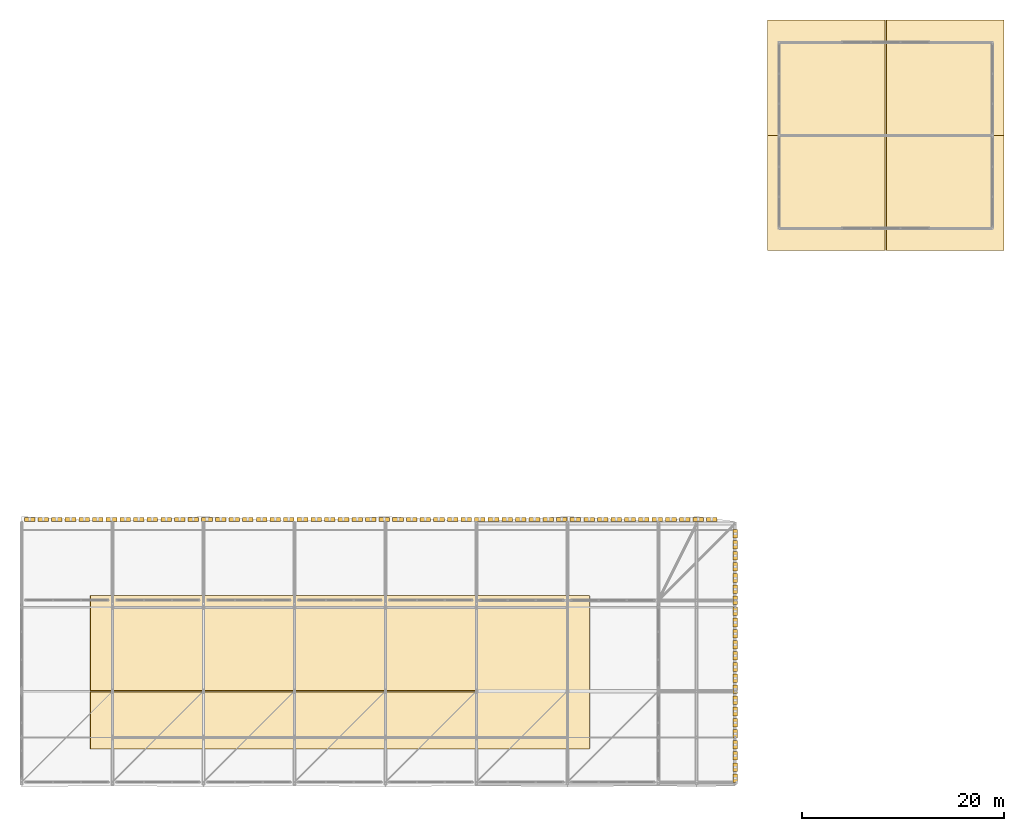
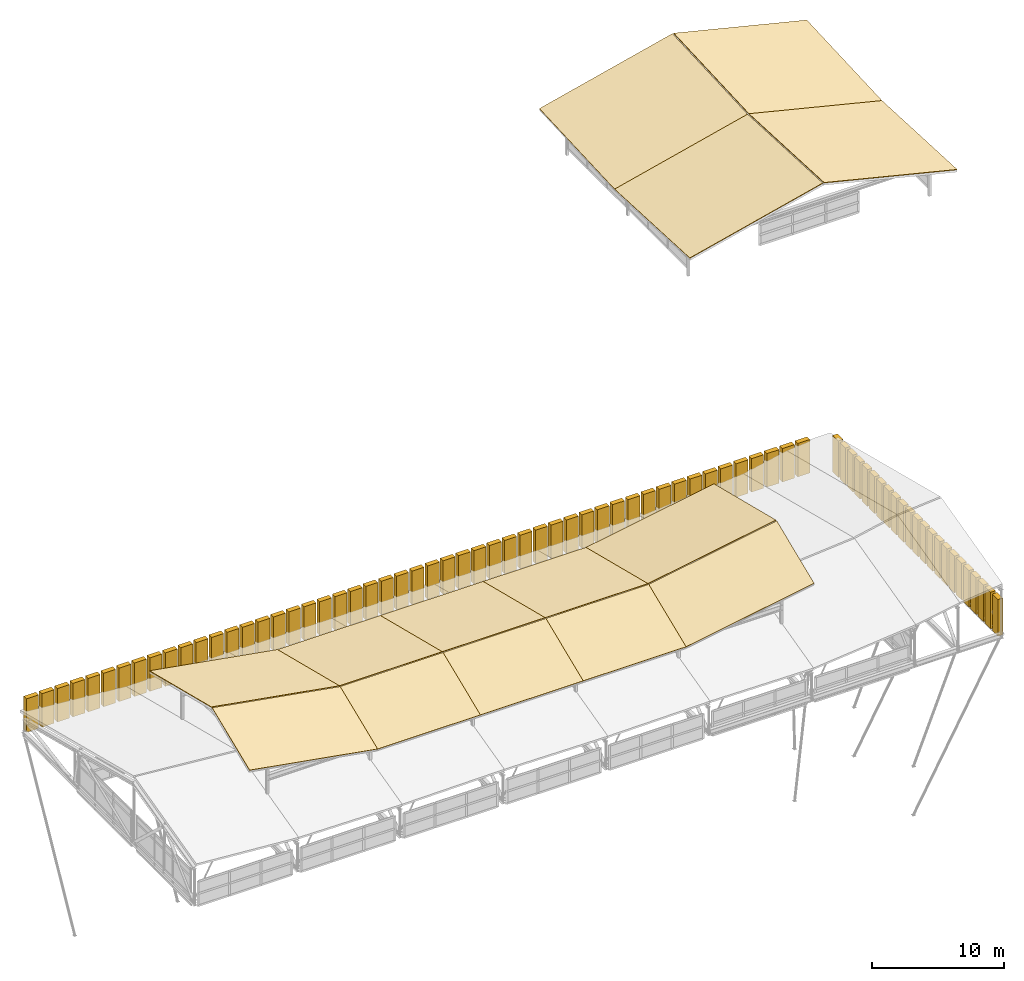
# One storey, part 42 of 42: 74 shading devices, 14 coverings.
"""IFC4 building model written with IfcOpenShell, lengths in metres."""

import ifcopenshell
import ifcopenshell.guid

model = None  # the IFC model being written
_history = None  # IfcOwnerHistory: only IFC2X3 demands one
_inside = {}  # id of a spatial element -> (the spatial element, [elements in it])
_under = {}  # id of a project, library or spatial element -> (it, [spatial elements below it])
_declared = {}  # id of a project -> (the project, [libraries it declares])
_typed = {}  # id of a type object -> (the type object, [elements of that type])
_made_of = {}  # id of a material, layer set ... -> (it, [elements and type objects made of it])


def new_model(schema):
    """Start an empty IFC model of exactly this schema.

    Asked for "IFC4X3", IfcOpenShell would pick the latest addendum, in which some entities
    have other attributes; the version numbers below select the first issue.
    IFC2X3 requires an IfcOwnerHistory on every rooted entity: one is made here for all.
    """
    global model, _history
    if schema == "IFC4X3":
        model = ifcopenshell.file(schema_version=(4, 3, 0, 0))
    else:
        model = ifcopenshell.file(schema=schema)
    _inside.clear()
    _under.clear()
    _declared.clear()
    _typed.clear()
    _made_of.clear()
    _history = None
    if model.schema == "IFC2X3":
        org = make("IfcOrganization", Name="unknown")
        user = make(
            "IfcPersonAndOrganization",
            ThePerson=make("IfcPerson", FamilyName="unknown"),
            TheOrganization=org,
        )
        app = make(
            "IfcApplication",
            ApplicationDeveloper=org,
            Version="unknown",
            ApplicationFullName="unknown",
            ApplicationIdentifier="unknown",
        )
        _history = make(
            "IfcOwnerHistory",
            OwningUser=user,
            OwningApplication=app,
            ChangeAction="ADDED",
            CreationDate=0,
        )
    return model


def make(cls, **values):
    """One entity of the class cls with the attributes given. An attribute that is None is left unset."""
    return model.create_entity(
        cls, **{name: value for name, value in values.items() if value is not None}
    )


def rooted(cls, **values):
    """An entity with a GlobalId (a new one), such as an element, a storey or a relation."""
    return make(cls, GlobalId=ifcopenshell.guid.new(), OwnerHistory=_history, **values)


def si_unit(unit_type, name, prefix=None):
    """IfcSIUnit, for example si_unit("LENGTHUNIT", "METRE", prefix="MILLI")."""
    return make("IfcSIUnit", UnitType=unit_type, Prefix=prefix, Name=name)


def assignment(units):
    """IfcUnitAssignment: the units of a project."""
    return None if units is None else make("IfcUnitAssignment", Units=units)


def point(xyz):
    """IfcCartesianPoint."""
    return None if xyz is None else make("IfcCartesianPoint", Coordinates=xyz)


def direction(xyz):
    """IfcDirection."""
    return None if xyz is None else make("IfcDirection", DirectionRatios=xyz)


def frame(location, z_axis=None, x_axis=None):
    """IfcAxis2Placement3D, a coordinate frame: its origin and axes. An axis left out is left unset."""
    return make(
        "IfcAxis2Placement3D",
        Location=point(location),
        Axis=direction(z_axis),
        RefDirection=direction(x_axis),
    )


def frame_2d(location, x_axis=None):
    """IfcAxis2Placement2D, a coordinate frame in the plane: its origin and x axis."""
    return make(
        "IfcAxis2Placement2D", Location=point(location), RefDirection=direction(x_axis)
    )


def origin():
    """The frame at (0, 0, 0) with its axes left unset."""
    return frame((0.0, 0.0, 0.0))


def origin_2d():
    """The frame at (0, 0) in the plane with its x axis left unset."""
    return frame_2d((0.0, 0.0))


def place(relative_to, where):
    """IfcLocalPlacement: puts the frame where relative to a parent placement (None: the world)."""
    return make(
        "IfcLocalPlacement", PlacementRelTo=relative_to, RelativePlacement=where
    )


def context(
    kind, dimensions, precision=None, world=None, true_north=None, identifier=None
):
    """IfcGeometricRepresentationContext, for example the 3D "Model" context."""
    return make(
        "IfcGeometricRepresentationContext",
        ContextIdentifier=identifier,
        ContextType=kind,
        CoordinateSpaceDimension=dimensions,
        Precision=precision,
        WorldCoordinateSystem=world,
        TrueNorth=true_north,
    )


def subcontext(parent, identifier, kind, view, scale=None):
    """IfcGeometricRepresentationSubContext, for example "Body" below "Model"."""
    return make(
        "IfcGeometricRepresentationSubContext",
        ContextIdentifier=identifier,
        ContextType=kind,
        ParentContext=parent,
        TargetScale=scale,
        TargetView=view,
    )


def project(units=None, contexts=None):
    """IfcProject with its units and contexts."""
    return rooted(
        "IfcProject",
        Name="project",
        RepresentationContexts=contexts,
        UnitsInContext=assignment(units),
    )


def spatial(cls, under=None, at=None, **own):
    """A site, building, storey or space (cls), placed at a placement, below another one or the project."""
    s = rooted(cls, ObjectPlacement=at, **own)
    if under is not None:
        _under.setdefault(under.id(), (under, []))[1].append(s)
    return s


def polyline(points):
    """IfcPolyline through the points."""
    return make("IfcPolyline", Points=[point(p) for p in points])


def profile(cls, at=None, kind="AREA", **sizes):
    """A parametric profile (cls). Its sizes go by their IFC names, for example OverallWidth=200.0."""
    return make(cls, ProfileType=kind, Position=at, **sizes)


def rectangle(**sizes):
    """IfcRectangleProfileDef."""
    return profile("IfcRectangleProfileDef", **sizes)


def outline(outer, holes=None, kind="AREA"):
    """IfcArbitraryClosedProfileDef: a profile drawn as a closed curve; with holes, ...WithVoids."""
    if holes is None:
        return make("IfcArbitraryClosedProfileDef", ProfileType=kind, OuterCurve=outer)
    return make(
        "IfcArbitraryProfileDefWithVoids",
        ProfileType=kind,
        OuterCurve=outer,
        InnerCurves=holes,
    )


def extrude(swept, where, along, depth):
    """IfcExtrudedAreaSolid: the profile swept, set in the frame where, extruded along a direction by depth."""
    return make(
        "IfcExtrudedAreaSolid",
        SweptArea=swept,
        Position=where,
        ExtrudedDirection=direction(along),
        Depth=depth,
    )


def shape(context_of_items, identifier, shape_type, items):
    """IfcShapeRepresentation: the items that make up one representation, for example the "Body"."""
    return make(
        "IfcShapeRepresentation",
        ContextOfItems=context_of_items,
        RepresentationIdentifier=identifier,
        RepresentationType=shape_type,
        Items=items,
    )


def material(Name=None, Category=None):
    """IfcMaterial."""
    return make("IfcMaterial", Name=Name, Category=Category)


def layer(
    of_material, thickness, ventilated=None, Name=None, Category=None, Priority=None
):
    """IfcMaterialLayer: one layer of a wall or slab, of a material (None: an air gap)."""
    return make(
        "IfcMaterialLayer",
        Material=of_material,
        LayerThickness=thickness,
        IsVentilated=ventilated,
        Name=Name,
        Category=Category,
        Priority=Priority,
    )


def layer_set(layers, Name=None):
    """IfcMaterialLayerSet."""
    return make("IfcMaterialLayerSet", MaterialLayers=layers, LayerSetName=Name)


def made_of(thing, what):
    """Note that an element or type object is made of a material, layer set ...; save() writes the relation."""
    if what is not None:
        _made_of.setdefault(what.id(), (what, []))[1].append(thing)
    return thing


def type_object(cls, material=None, **own):
    """A type object (cls), such as IfcWallType, which elements share."""
    return made_of(rooted(cls, **own), material)


def element(
    cls,
    number,
    at=None,
    inside=None,
    cuts=None,
    type_object=None,
    material=None,
    context=None,
    identifier="Body",
    shape_type=None,
    held_by="IfcProductDefinitionShape",
    body=None,
    shapes=None,
    **own,
):
    """One element of the class cls, such as IfcWall. Its Tag is "e" and its number.

    at: its placement. inside: the storey or other place that contains it. cuts: it is an
    opening in that element (IfcRelVoidsElement). A single representation is given by context,
    identifier, shape_type and body (its items); several are given by shapes. held_by: the class
    of the entity that holds the representations. save() writes the other relations.
    """
    e = rooted(cls, Tag="e%d" % number, ObjectPlacement=at, **own)
    if body is not None:
        shapes = [shape(context, identifier, shape_type, body)]
    if shapes is not None:
        e.Representation = make(held_by, Representations=shapes)
    if inside is not None:
        _inside.setdefault(inside.id(), (inside, []))[1].append(e)
    if cuts is not None:
        rooted(
            "IfcRelVoidsElement", RelatingBuildingElement=cuts, RelatedOpeningElement=e
        )
    if type_object is not None:
        _typed.setdefault(type_object.id(), (type_object, []))[1].append(e)
    return made_of(e, material)


def aggregate(whole, parts):
    """IfcRelAggregates: a whole, such as a stair, and the parts it consists of."""
    return rooted("IfcRelAggregates", RelatingObject=whole, RelatedObjects=parts)


def save(model, path):
    """Write the relations noted so far, then the file.

    IfcRelAggregates (storeys below a building ...), IfcRelContainedInSpatialStructure (elements
    in a storey), IfcRelDefinesByType, IfcRelAssociatesMaterial and IfcRelDeclares: one each for
    every whole, place, type object, material and project.
    """
    for whole, parts in _under.values():
        aggregate(whole, parts)
    for where, things in _inside.values():
        rooted(
            "IfcRelContainedInSpatialStructure",
            RelatedElements=things,
            RelatingStructure=where,
        )
    for kind, things in _typed.values():
        rooted("IfcRelDefinesByType", RelatedObjects=things, RelatingType=kind)
    for what, things in _made_of.values():
        rooted("IfcRelAssociatesMaterial", RelatedObjects=things, RelatingMaterial=what)
    for by, libraries in _declared.values():
        rooted("IfcRelDeclares", RelatingContext=by, RelatedDefinitions=libraries)
    model.write(path)


model = new_model("IFC4")

# Units and contexts
model_context = context("Model", 3, precision=1e-05, world=origin(), true_north=direction((0.0, 1.0)))
body_context = subcontext(model_context, "Body", "Model", "MODEL_VIEW")
ifc_project = project(units=[si_unit("LENGTHUNIT", "METRE"), si_unit("AREAUNIT", "SQUARE_METRE"), si_unit("VOLUMEUNIT", "CUBIC_METRE"), si_unit("PLANEANGLEUNIT", "RADIAN"), si_unit("MASSUNIT", "GRAM", prefix="KILO")], contexts=[model_context])

# Site, building, storey
site_placement = place(None, origin())
site = spatial("IfcSite", under=ifc_project, at=site_placement, CompositionType="ELEMENT")
building_placement = place(site_placement, origin())
building = spatial("IfcBuilding", under=site, at=building_placement, Name="Bozkorgan Art Gallery", CompositionType="ELEMENT")
storey_placement = place(building_placement, frame((0.0, 0.0, 28.800048828125)))
storey = spatial("IfcBuildingStorey", under=building, at=storey_placement, Name="RF", CompositionType="ELEMENT", Elevation=28.800048828125)

# Coverings
ifc_material_1 = material(Name="Standing-Seam Slate Grey Zinc Roofing", Category="masonry")
ifc_layer_1 = layer(ifc_material_1, 0.050048828125, Name="Standing-Seam Slate Grey Zinc Roofing")
ifc_layer_set_1 = layer_set([ifc_layer_1], Name="Standing-Seam Slate Grey Zinc Roofing")
covering_type = type_object("IfcCoveringType", Name="COV-ROOF-01", PredefinedType="ROOFING", material=ifc_layer_set_1)
covering_1_placement = place(storey_placement, frame((8.800048828125, 5.27490234375, 8.021728515625), z_axis=(0.159656970651, -0.377022318626, 0.912339751946), x_axis=(0.985030922896, 0.0, -0.172377727499)))
element("IfcCovering", 1, at=covering_1_placement, inside=storey, type_object=covering_type, Name="RF standing-seam zinc roofing 1", PredefinedType="ROOFING", context=body_context, shape_type="SweptSolid", body=[
    extrude(outline(polyline([(0.0, 0.0), (11.370151851620543, 1.1102230246251565e-16), (10.966604481262351, 6.116404162023087), (-0.4035473703581922, 6.116404162023086), (0.0, 0.0)])), origin(), (0.0, 0.0, -1.0), 0.050048828125),
])
covering_2_placement = place(storey_placement, frame((8.800048828125, 11.06005859375, 10.36279296875), z_axis=(0.167403398431, 0.238498543135, 0.956605742778), x_axis=(0.985030922896, 0.0, -0.172377727499)))
element("IfcCovering", 2, at=covering_2_placement, inside=storey, type_object=covering_type, Name="RF standing-seam zinc roofing 2", PredefinedType="ROOFING", context=body_context, shape_type="SweptSolid", body=[
    extrude(outline(polyline([(0.0, 0.0), (11.370151851620543, 0.0), (11.773699221978735, 9.668909707008822), (0.4035473703581922, 9.66890970700882), (0.0, 0.0)])), origin(), (0.0, 0.0, -1.0), 0.050048828125),
])
covering_3_placement = place(storey_placement, frame((20.0, 5.27490234375, 6.061767578125), z_axis=(0.0, -0.381921394624, 0.92419481081), x_axis=(1.0, 0.0, 0.0)))
element("IfcCovering", 3, at=covering_3_placement, inside=storey, type_object=covering_type, Name="RF standing-seam zinc roofing 3", PredefinedType="ROOFING", context=body_context, shape_type="SweptSolid", body=[
    extrude(outline(polyline([(0.0, 0.0), (9.0, 0.0), (9.0, 6.129702305441622), (0.0, 6.129702305441622), (0.0, 0.0)])), origin(), (0.0, 0.0, -1.0), 0.050048828125),
])
covering_4_placement = place(storey_placement, frame((20.0, 11.06005859375, 8.40283203125), z_axis=(0.0, 0.241912292404, 0.970298120571), x_axis=(1.0, 0.0, 0.0)))
element("IfcCovering", 4, at=covering_4_placement, inside=storey, type_object=covering_type, Name="RF standing-seam zinc roofing 4", PredefinedType="ROOFING", context=body_context, shape_type="SweptSolid", body=[
    extrude(outline(polyline([(0.0, 0.0), (9.0, 0.0), (9.0, 9.677327389440352), (0.0, 9.677327389440352), (0.0, 0.0)])), origin(), (0.0, 0.0, -1.0), 0.050048828125),
])
covering_5_placement = place(storey_placement, frame((29.0, 5.27490234375, 6.061767578125), z_axis=(0.0, -0.381921394624, 0.92419481081), x_axis=(1.0, 0.0, 0.0)))
element("IfcCovering", 5, at=covering_5_placement, inside=storey, type_object=covering_type, Name="RF standing-seam zinc roofing 5", PredefinedType="ROOFING", context=body_context, shape_type="SweptSolid", body=[
    extrude(outline(polyline([(0.0, 0.0), (9.0, 0.0), (9.0, 6.129702305441622), (0.0, 6.129702305441622), (0.0, 0.0)])), origin(), (0.0, 0.0, -1.0), 0.050048828125),
])
covering_6_placement = place(storey_placement, frame((29.0, 11.06005859375, 8.40283203125), z_axis=(0.0, 0.241912292404, 0.970298120571), x_axis=(1.0, 0.0, 0.0)))
element("IfcCovering", 6, at=covering_6_placement, inside=storey, type_object=covering_type, Name="RF standing-seam zinc roofing 6", PredefinedType="ROOFING", context=body_context, shape_type="SweptSolid", body=[
    extrude(outline(polyline([(0.0, 0.0), (9.0, 0.0), (9.0, 9.677327389440352), (0.0, 9.677327389440352), (0.0, 0.0)])), origin(), (0.0, 0.0, -1.0), 0.050048828125),
])
covering_7_placement = place(storey_placement, frame((38.0, 5.27490234375, 6.061767578125), z_axis=(0.0, -0.381921394624, 0.92419481081), x_axis=(1.0, 0.0, 0.0)))
element("IfcCovering", 7, at=covering_7_placement, inside=storey, type_object=covering_type, Name="RF standing-seam zinc roofing 7", PredefinedType="ROOFING", context=body_context, shape_type="SweptSolid", body=[
    extrude(outline(polyline([(0.0, 0.0), (9.0, 0.0), (9.0, 6.129702305441622), (0.0, 6.129702305441622), (0.0, 0.0)])), origin(), (0.0, 0.0, -1.0), 0.050048828125),
])
covering_8_placement = place(storey_placement, frame((38.0, 11.06005859375, 8.40283203125), z_axis=(0.0, 0.241912292404, 0.970298120571), x_axis=(1.0, 0.0, 0.0)))
element("IfcCovering", 8, at=covering_8_placement, inside=storey, type_object=covering_type, Name="RF standing-seam zinc roofing 8", PredefinedType="ROOFING", context=body_context, shape_type="SweptSolid", body=[
    extrude(outline(polyline([(0.0, 0.0), (9.0, 0.0), (9.0, 9.677327389440352), (0.0, 9.677327389440352), (0.0, 0.0)])), origin(), (0.0, 0.0, -1.0), 0.050048828125),
])
covering_9_placement = place(storey_placement, frame((47.0, 5.27490234375, 6.061767578125), z_axis=(-0.159656970651, -0.377022318626, 0.912339751946), x_axis=(0.985030922896, 0.0, 0.172377727499)))
element("IfcCovering", 9, at=covering_9_placement, inside=storey, type_object=covering_type, Name="RF standing-seam zinc roofing 9", PredefinedType="ROOFING", context=body_context, shape_type="SweptSolid", body=[
    extrude(outline(polyline([(0.0, 0.0), (11.370151851620543, -1.1102230246251565e-16), (11.773699221978735, 6.116404162023086), (0.4035473703581922, 6.116404162023086), (0.0, 0.0)])), origin(), (0.0, 0.0, -1.0), 0.050048828125),
])
covering_10_placement = place(storey_placement, frame((47.0, 11.06005859375, 8.40283203125), z_axis=(-0.167403398431, 0.238498543135, 0.956605742778), x_axis=(0.985030922896, 0.0, 0.172377727499)))
element("IfcCovering", 10, at=covering_10_placement, inside=storey, type_object=covering_type, Name="RF standing-seam zinc roofing 10", PredefinedType="ROOFING", context=body_context, shape_type="SweptSolid", body=[
    extrude(outline(polyline([(0.0, 0.0), (11.370151851620543, 0.0), (10.966604481262351, 9.66890970700882), (-0.4035473703581922, 9.66890970700882), (0.0, 0.0)])), origin(), (0.0, 0.0, -1.0), 0.050048828125),
])
covering_11_placement = place(storey_placement, frame((75.800048828125, 54.60009765625, 2.04296875), z_axis=(-0.238279510817, 0.045966600054, 0.97010821376), x_axis=(0.9711347303, 4.54155e-07, 0.238531623911)))
element("IfcCovering", 11, at=covering_11_placement, inside=storey, type_object=covering_type, Name="RF standing-seam zinc roofing 15", PredefinedType="ROOFING", context=body_context, shape_type="SweptSolid", body=[
    extrude(outline(polyline([(0.0, 0.0), (11.985838831175355, 2.7755575615628914e-17), (11.857027613945561, 11.411959660477018), (-0.12886945248953718, 11.411970558882771), (0.0, 0.0)])), origin(), (0.0, 0.0, -1.0), 0.050048828125),
])
covering_12_placement = place(storey_placement, frame((87.56005859375, 54.60009765625, 4.90185546875), z_axis=(0.238279510817, 0.045966600054, 0.97010821376), x_axis=(0.9711347303, -4.54155e-07, -0.238531623911)))
element("IfcCovering", 12, at=covering_12_placement, inside=storey, type_object=covering_type, Name="RF standing-seam zinc roofing 16", PredefinedType="ROOFING", context=body_context, shape_type="SweptSolid", body=[
    extrude(outline(polyline([(0.0, 0.0), (11.985838831175355, -2.7755575615628914e-17), (12.114708283664891, 11.411970558882771), (0.1288112172297933, 11.411959660477018), (0.0, 0.0)])), origin(), (0.0, 0.0, -1.0), 0.050048828125),
])
covering_13_placement = place(storey_placement, frame((75.800048828125, 66.0, 1.502685546875), z_axis=(-0.238279510817, -0.045966600054, 0.97010821376), x_axis=(0.97113472033, 4.54153e-07, 0.238531664501)))
element("IfcCovering", 13, at=covering_13_placement, inside=storey, type_object=covering_type, Name="RF standing-seam zinc roofing 17", PredefinedType="ROOFING", context=body_context, shape_type="SweptSolid", body=[
    extrude(outline(polyline([(0.0, 0.0), (11.985897066440053, -2.7755575615628914e-17), (12.114718660212, 11.411959543348242), (0.12887982904160158, 11.411970441701044), (0.0, 0.0)])), origin(), (0.0, 0.0, -1.0), 0.050048828125),
])
covering_14_placement = place(storey_placement, frame((87.56005859375, 66.0, 4.36181640625), z_axis=(0.238279510817, -0.045966600054, 0.97010821376), x_axis=(0.97113472033, -4.54153e-07, -0.238531664501)))
element("IfcCovering", 14, at=covering_14_placement, inside=storey, type_object=covering_type, Name="RF standing-seam zinc roofing 18", PredefinedType="ROOFING", context=body_context, shape_type="SweptSolid", body=[
    extrude(outline(polyline([(0.0, 0.0), (11.985897066440053, 2.7755575615628914e-17), (11.85701723739845, 11.411970441701044), (-0.12882159377194816, 11.411959543348242), (0.0, 0.0)])), origin(), (0.0, 0.0, -1.0), 0.050048828125),
])

# Shading devices
ifc_material_2 = material(Name="Pressed Terracotta Brick Masonry", Category="masonry")
ifc_layer_2 = layer(ifc_material_2, 0.080078125, Name="Pressed Terracotta Brick Masonry")
ifc_layer_set_2 = layer_set([ifc_layer_2], Name="Pressed Terracotta Brick Masonry")
shading_device_type = type_object("IfcShadingDeviceType", Name="SHD-LVR-01", PredefinedType="JALOUSIE", material=ifc_layer_set_2)
for number, where, z_axis, x_axis, name in (
    (15, (72.60009765625, 2.39990234375, 0.14990234375), (0.0, 0.0, 1.0), (1.0, 0.0, 0.0), "RF east overhang ceramic louvre screen 1"),
    (16, (72.60009765625, 3.5, 0.14990234375), (0.0, 0.0, 1.0), (1.0, 0.0, 0.0), "RF east overhang ceramic louvre screen 2"),
    (17, (72.60009765625, 4.60009765625, 0.14990234375), (0.0, 0.0, 1.0), (1.0, 0.0, 0.0), "RF east overhang ceramic louvre screen 3"),
    (18, (72.60009765625, 5.699951171875, 0.14990234375), (0.0, 0.0, 1.0), (1.0, 0.0, 0.0), "RF east overhang ceramic louvre screen 4"),
    (19, (72.60009765625, 6.800048828125, 0.14990234375), (0.0, 0.0, 1.0), (1.0, 0.0, 0.0), "RF east overhang ceramic louvre screen 5"),
    (20, (72.60009765625, 7.89990234375, 0.14990234375), (0.0, 0.0, 1.0), (1.0, 0.0, 0.0), "RF east overhang ceramic louvre screen 6"),
    (21, (72.60009765625, 9.0, 0.14990234375), (0.0, 0.0, 1.0), (1.0, 0.0, 0.0), "RF east overhang ceramic louvre screen 7"),
    (22, (72.60009765625, 10.10009765625, 0.14990234375), (0.0, 0.0, 1.0), (1.0, 0.0, 0.0), "RF east overhang ceramic louvre screen 8"),
    (23, (72.60009765625, 11.199951171875, 0.14990234375), (0.0, 0.0, 1.0), (1.0, 0.0, 0.0), "RF east overhang ceramic louvre screen 9"),
    (24, (72.60009765625, 12.300048828125, 0.14990234375), (0.0, 0.0, 1.0), (1.0, 0.0, 0.0), "RF east overhang ceramic louvre screen 10"),
    (25, (72.60009765625, 13.39990234375, 0.14990234375), (0.0, 0.0, 1.0), (1.0, 0.0, 0.0), "RF east overhang ceramic louvre screen 11"),
    (26, (72.60009765625, 14.5, 0.14990234375), (0.0, 0.0, 1.0), (1.0, 0.0, 0.0), "RF east overhang ceramic louvre screen 12"),
    (27, (72.60009765625, 15.60009765625, 0.14990234375), (0.0, 0.0, 1.0), (1.0, 0.0, 0.0), "RF east overhang ceramic louvre screen 13"),
    (28, (72.60009765625, 16.699951171875, 0.14990234375), (0.0, 0.0, 1.0), (1.0, 0.0, 0.0), "RF east overhang ceramic louvre screen 14"),
    (29, (72.60009765625, 17.800048828125, 0.14990234375), (0.0, 0.0, 1.0), (1.0, 0.0, 0.0), "RF east overhang ceramic louvre screen 15"),
    (30, (72.60009765625, 18.89990234375, 0.14990234375), (0.0, 0.0, 1.0), (1.0, 0.0, 0.0), "RF east overhang ceramic louvre screen 16"),
    (31, (72.60009765625, 20.0, 0.14990234375), (0.0, 0.0, 1.0), (1.0, 0.0, 0.0), "RF east overhang ceramic louvre screen 17"),
    (32, (72.60009765625, 21.10009765625, 0.14990234375), (0.0, 0.0, 1.0), (1.0, 0.0, 0.0), "RF east overhang ceramic louvre screen 18"),
    (33, (72.60009765625, 22.199951171875, 0.14990234375), (0.0, 0.0, 1.0), (1.0, 0.0, 0.0), "RF east overhang ceramic louvre screen 19"),
    (34, (72.60009765625, 23.300048828125, 0.14990234375), (0.0, 0.0, 1.0), (1.0, 0.0, 0.0), "RF east overhang ceramic louvre screen 20"),
    (35, (72.60009765625, 24.39990234375, 0.14990234375), (0.0, 0.0, 1.0), (1.0, 0.0, 0.0), "RF east overhang ceramic louvre screen 21"),
    (36, (72.60009765625, 25.5, 0.14990234375), (0.0, 0.0, 1.0), (1.0, 0.0, 0.0), "RF east overhang ceramic louvre screen 22"),
    (37, (72.60009765625, 26.60009765625, 0.14990234375), (0.0, 0.0, 1.0), (1.0, 0.0, 0.0), "RF east overhang ceramic louvre screen 23"),
):
    element("IfcShadingDevice", number, at=place(storey_placement, frame(where, z_axis=z_axis, x_axis=x_axis)), inside=storey, type_object=shading_device_type, Name=name, PredefinedType="JALOUSIE", context=body_context, shape_type="SweptSolid", body=[
        extrude(rectangle(XDim=0.419921875, YDim=0.85009765625, at=origin_2d()), origin(), (0.0, 0.0, 1.0), 3.39990234375),
    ])
for number, where, z_axis, x_axis, name in (
    (38, (2.800048828125, 28.0, 0.14990234375), (0.0, 0.0, 1.0), (1.0, 0.0, 0.0), "RF north overhang ceramic louvre screen 24"),
    (39, (4.14990234375, 28.0, 0.14990234375), (0.0, 0.0, 1.0), (1.0, 0.0, 0.0), "RF north overhang ceramic louvre screen 25"),
    (40, (5.5, 28.0, 0.14990234375), (0.0, 0.0, 1.0), (1.0, 0.0, 0.0), "RF north overhang ceramic louvre screen 26"),
    (41, (6.85009765625, 28.0, 0.14990234375), (0.0, 0.0, 1.0), (1.0, 0.0, 0.0), "RF north overhang ceramic louvre screen 27"),
    (42, (8.199951171875, 28.0, 0.14990234375), (0.0, 0.0, 1.0), (1.0, 0.0, 0.0), "RF north overhang ceramic louvre screen 28"),
    (43, (9.550048828125, 28.0, 0.14990234375), (0.0, 0.0, 1.0), (1.0, 0.0, 0.0), "RF north overhang ceramic louvre screen 29"),
    (44, (10.89990234375, 28.0, 0.14990234375), (0.0, 0.0, 1.0), (1.0, 0.0, 0.0), "RF north overhang ceramic louvre screen 30"),
    (45, (12.25, 28.0, 0.14990234375), (0.0, 0.0, 1.0), (1.0, 0.0, 0.0), "RF north overhang ceramic louvre screen 31"),
    (46, (13.60009765625, 28.0, 0.14990234375), (0.0, 0.0, 1.0), (1.0, 0.0, 0.0), "RF north overhang ceramic louvre screen 32"),
    (47, (14.949951171875, 28.0, 0.14990234375), (0.0, 0.0, 1.0), (1.0, 0.0, 0.0), "RF north overhang ceramic louvre screen 33"),
    (48, (16.300048828125, 28.0, 0.14990234375), (0.0, 0.0, 1.0), (1.0, 0.0, 0.0), "RF north overhang ceramic louvre screen 34"),
    (49, (17.64990234375, 28.0, 0.14990234375), (0.0, 0.0, 1.0), (1.0, 0.0, 0.0), "RF north overhang ceramic louvre screen 35"),
    (50, (19.0, 28.0, 0.14990234375), (0.0, 0.0, 1.0), (1.0, 0.0, 0.0), "RF north overhang ceramic louvre screen 36"),
    (51, (20.35009765625, 28.0, 0.14990234375), (0.0, 0.0, 1.0), (1.0, 0.0, 0.0), "RF north overhang ceramic louvre screen 37"),
    (52, (21.699951171875, 28.0, 0.14990234375), (0.0, 0.0, 1.0), (1.0, 0.0, 0.0), "RF north overhang ceramic louvre screen 38"),
    (53, (23.050048828125, 28.0, 0.14990234375), (0.0, 0.0, 1.0), (1.0, 0.0, 0.0), "RF north overhang ceramic louvre screen 39"),
    (54, (24.39990234375, 28.0, 0.14990234375), (0.0, 0.0, 1.0), (1.0, 0.0, 0.0), "RF north overhang ceramic louvre screen 40"),
    (55, (25.75, 28.0, 0.14990234375), (0.0, 0.0, 1.0), (1.0, 0.0, 0.0), "RF north overhang ceramic louvre screen 41"),
    (56, (27.10009765625, 28.0, 0.14990234375), (0.0, 0.0, 1.0), (1.0, 0.0, 0.0), "RF north overhang ceramic louvre screen 42"),
    (57, (28.449951171875, 28.0, 0.14990234375), (0.0, 0.0, 1.0), (1.0, 0.0, 0.0), "RF north overhang ceramic louvre screen 43"),
    (58, (29.800048828125, 28.0, 0.14990234375), (0.0, 0.0, 1.0), (1.0, 0.0, 0.0), "RF north overhang ceramic louvre screen 44"),
    (59, (31.14990234375, 28.0, 0.14990234375), (0.0, 0.0, 1.0), (1.0, 0.0, 0.0), "RF north overhang ceramic louvre screen 45"),
    (60, (32.5, 28.0, 0.14990234375), (0.0, 0.0, 1.0), (1.0, 0.0, 0.0), "RF north overhang ceramic louvre screen 46"),
    (61, (33.85009765625, 28.0, 0.14990234375), (0.0, 0.0, 1.0), (1.0, 0.0, 0.0), "RF north overhang ceramic louvre screen 47"),
    (62, (35.199951171875, 28.0, 0.14990234375), (0.0, 0.0, 1.0), (1.0, 0.0, 0.0), "RF north overhang ceramic louvre screen 48"),
    (63, (36.550048828125, 28.0, 0.14990234375), (0.0, 0.0, 1.0), (1.0, 0.0, 0.0), "RF north overhang ceramic louvre screen 49"),
    (64, (37.89990234375, 28.0, 0.14990234375), (0.0, 0.0, 1.0), (1.0, 0.0, 0.0), "RF north overhang ceramic louvre screen 50"),
    (65, (39.25, 28.0, 0.14990234375), (0.0, 0.0, 1.0), (1.0, 0.0, 0.0), "RF north overhang ceramic louvre screen 51"),
    (66, (40.60009765625, 28.0, 0.14990234375), (0.0, 0.0, 1.0), (1.0, 0.0, 0.0), "RF north overhang ceramic louvre screen 52"),
    (67, (41.949951171875, 28.0, 0.14990234375), (0.0, 0.0, 1.0), (1.0, 0.0, 0.0), "RF north overhang ceramic louvre screen 53"),
    (68, (43.300048828125, 28.0, 0.14990234375), (0.0, 0.0, 1.0), (1.0, 0.0, 0.0), "RF north overhang ceramic louvre screen 54"),
    (69, (44.64990234375, 28.0, 0.14990234375), (0.0, 0.0, 1.0), (1.0, 0.0, 0.0), "RF north overhang ceramic louvre screen 55"),
    (70, (46.0, 28.0, 0.14990234375), (0.0, 0.0, 1.0), (1.0, 0.0, 0.0), "RF north overhang ceramic louvre screen 56"),
    (71, (47.35009765625, 28.0, 0.14990234375), (0.0, 0.0, 1.0), (1.0, 0.0, 0.0), "RF north overhang ceramic louvre screen 57"),
    (72, (48.699951171875, 28.0, 0.14990234375), (0.0, 0.0, 1.0), (1.0, 0.0, 0.0), "RF north overhang ceramic louvre screen 58"),
    (73, (50.050048828125, 28.0, 0.14990234375), (0.0, 0.0, 1.0), (1.0, 0.0, 0.0), "RF north overhang ceramic louvre screen 59"),
    (74, (51.39990234375, 28.0, 0.14990234375), (0.0, 0.0, 1.0), (1.0, 0.0, 0.0), "RF north overhang ceramic louvre screen 60"),
    (75, (52.75, 28.0, 0.14990234375), (0.0, 0.0, 1.0), (1.0, 0.0, 0.0), "RF north overhang ceramic louvre screen 61"),
    (76, (54.10009765625, 28.0, 0.14990234375), (0.0, 0.0, 1.0), (1.0, 0.0, 0.0), "RF north overhang ceramic louvre screen 62"),
    (77, (55.449951171875, 28.0, 0.14990234375), (0.0, 0.0, 1.0), (1.0, 0.0, 0.0), "RF north overhang ceramic louvre screen 63"),
    (78, (56.800048828125, 28.0, 0.14990234375), (0.0, 0.0, 1.0), (1.0, 0.0, 0.0), "RF north overhang ceramic louvre screen 64"),
    (79, (58.14990234375, 28.0, 0.14990234375), (0.0, 0.0, 1.0), (1.0, 0.0, 0.0), "RF north overhang ceramic louvre screen 65"),
    (80, (59.5, 28.0, 0.14990234375), (0.0, 0.0, 1.0), (1.0, 0.0, 0.0), "RF north overhang ceramic louvre screen 66"),
    (81, (60.85009765625, 28.0, 0.14990234375), (0.0, 0.0, 1.0), (1.0, 0.0, 0.0), "RF north overhang ceramic louvre screen 67"),
    (82, (62.199951171875, 28.0, 0.14990234375), (0.0, 0.0, 1.0), (1.0, 0.0, 0.0), "RF north overhang ceramic louvre screen 68"),
    (83, (63.550048828125, 28.0, 0.14990234375), (0.0, 0.0, 1.0), (1.0, 0.0, 0.0), "RF north overhang ceramic louvre screen 69"),
    (84, (64.89990234375, 28.0, 0.14990234375), (0.0, 0.0, 1.0), (1.0, 0.0, 0.0), "RF north overhang ceramic louvre screen 70"),
    (85, (66.25, 28.0, 0.14990234375), (0.0, 0.0, 1.0), (1.0, 0.0, 0.0), "RF north overhang ceramic louvre screen 71"),
    (86, (67.60009765625, 28.0, 0.14990234375), (0.0, 0.0, 1.0), (1.0, 0.0, 0.0), "RF north overhang ceramic louvre screen 72"),
    (87, (68.949951171875, 28.0, 0.14990234375), (0.0, 0.0, 1.0), (1.0, 0.0, 0.0), "RF north overhang ceramic louvre screen 73"),
    (88, (70.300048828125, 28.0, 0.14990234375), (0.0, 0.0, 1.0), (1.0, 0.0, 0.0), "RF north overhang ceramic louvre screen 74"),
):
    element("IfcShadingDevice", number, at=place(storey_placement, frame(where, z_axis=z_axis, x_axis=x_axis)), inside=storey, type_object=shading_device_type, Name=name, PredefinedType="JALOUSIE", context=body_context, shape_type="SweptSolid", body=[
        extrude(rectangle(XDim=1.050048828125, YDim=0.419921875, at=origin_2d()), origin(), (0.0, 0.0, 1.0), 3.10009765625),
    ])

save(model, "model.ifc")
